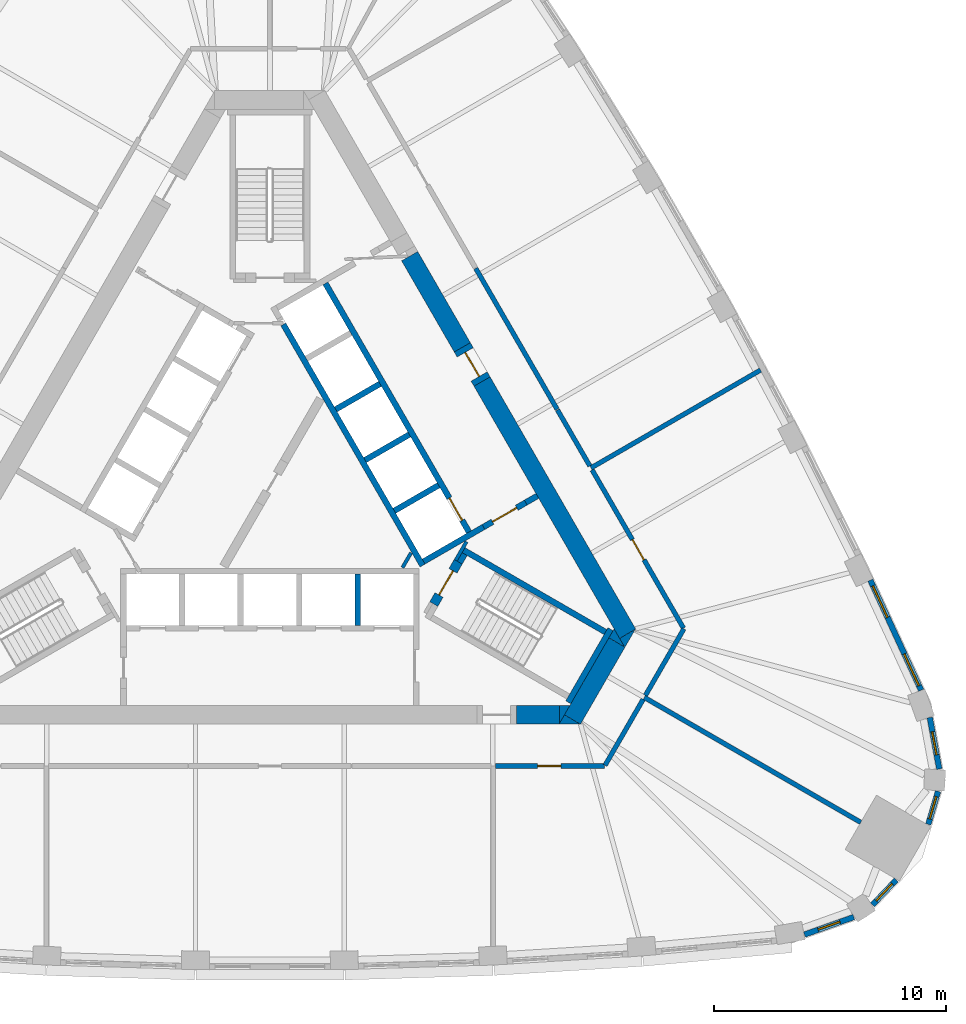
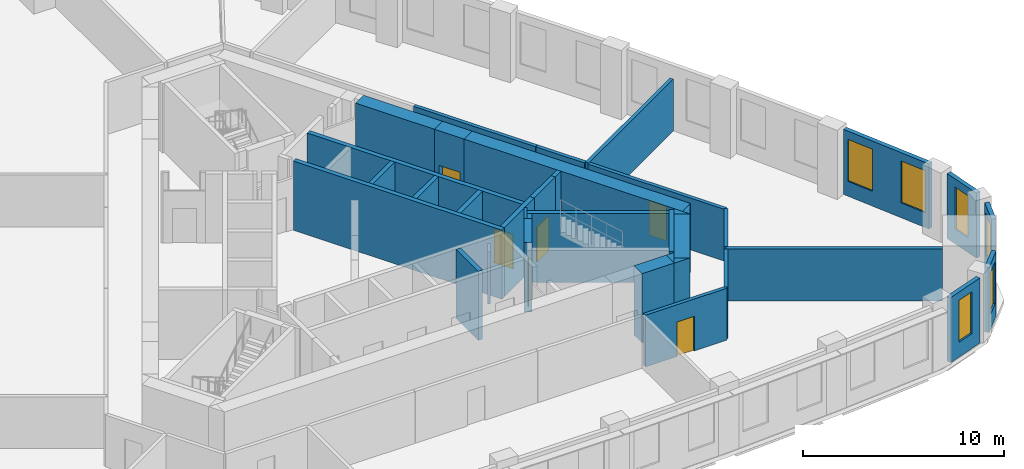
# One storey, part 6 of 9: 37 walls, 6 doors, 6 windows, 12 openings.
"""IFC4 building model written with IfcOpenShell, lengths in metres."""

from ifc_helpers import new_model, si_unit, direction, frame, frame_2d, origin, place, context, subcontext, project, spatial, polyline, rectangle, outline, extrude, material, layer, layer_set, type_object, element, fill, save


model = new_model("IFC4")

# Units and contexts
model_context = context("Model", 3, precision=1e-05, world=origin(), true_north=direction((0.0, 1.0)))
body_context = subcontext(model_context, "Body", "Model", "MODEL_VIEW")
ifc_project = project(units=[si_unit("LENGTHUNIT", "METRE"), si_unit("AREAUNIT", "SQUARE_METRE"), si_unit("VOLUMEUNIT", "CUBIC_METRE"), si_unit("PLANEANGLEUNIT", "RADIAN"), si_unit("MASSUNIT", "GRAM", prefix="KILO")], contexts=[model_context])

# Site, building, storey
site_placement = place(None, origin())
site = spatial("IfcSite", under=ifc_project, at=site_placement, CompositionType="ELEMENT")
building_placement = place(site_placement, origin())
building = spatial("IfcBuilding", under=site, at=building_placement, Name="Mestral Congress Tower", CompositionType="ELEMENT")
storey_placement = place(building_placement, frame((0.0, 0.0, 187.800048828125)))
storey = spatial("IfcBuildingStorey", under=building, at=storey_placement, Name="L44", CompositionType="ELEMENT", Elevation=187.800048828125)

# Walls
ifc_material_1 = material(Name="Fire-rated board partition")
ifc_layer_1 = layer(ifc_material_1, 0.14990234375)
ifc_layer_set_1 = layer_set([ifc_layer_1], Name="Fire-rated board partition")
wall_type_1 = type_object("IfcWallType", Name="Core partition 150", PredefinedType="PARTITIONING", material=ifc_layer_set_1)
wall_1_placement = place(storey_placement, frame((5.704833984375, -3.718017578125, 0.0), z_axis=(0.0, 0.0, 1.0), x_axis=(0.499962090823, 0.866047289552, 0.0)))
element("IfcWall", 1, at=wall_1_placement, inside=storey, type_object=wall_type_1, Name="L44 core wall", PredefinedType="PARTITIONING", context=body_context, shape_type="SweptSolid", body=[
    extrude(rectangle(XDim=0.73486328125, YDim=0.14990234375, at=frame_2d((0.367431640625, 0.0))), origin(), (0.0, 0.0, 1.0), 3.14990234375),
])
ifc_material_2 = material(Name="Concrete C60/75", Category="concrete")
ifc_layer_2 = layer(ifc_material_2, 0.800048828125)
ifc_layer_set_2 = layer_set([ifc_layer_2], Name="Concrete C60/75")
wall_type_2 = type_object("IfcWallType", Name="Core wall RC 800", PredefinedType="SOLIDWALL", material=ifc_layer_set_2)
wall_2_placement = place(storey_placement, frame((9.128662109375, 4.288818359375, 0.0), z_axis=(0.0, 0.0, 1.0), x_axis=(0.499995742806, -0.866027861663, 0.0)))
element("IfcWall", 2, at=wall_2_placement, inside=storey, type_object=wall_type_2, Name="L44 core wall", PredefinedType="SOLIDWALL", context=body_context, shape_type="SweptSolid", body=[
    extrude(rectangle(XDim=12.52734375, YDim=0.800048828125, at=frame_2d((6.263671875, 0.0))), origin(), (0.0, 0.0, 1.0), 4.199951171875),
])
placement = place(storey_placement, origin())
element("IfcWall", 3, at=placement, inside=storey, type_object=wall_type_2, Name="L44 core wall", PredefinedType="SOLIDWALL", context=body_context, shape_type="SweptSolid", body=[
    extrude(outline(polyline([(15.27099609375, -7.14990234375), (15.046875, -6.761962890625), (15.718994140625, -6.3740234375), (15.27099609375, -7.14990234375)])), origin(), (0.0, 0.0, 1.0), 4.199951171875),
])
wall_4_placement = place(storey_placement, frame((13.018310546875, -10.251708984375, 0.0), z_axis=(0.0, 0.0, 1.0), x_axis=(0.499984020225, 0.866034629516, 0.0)))
element("IfcWall", 4, at=wall_4_placement, inside=storey, type_object=wall_type_2, Name="L44 core wall", PredefinedType="SOLIDWALL", context=body_context, shape_type="SweptSolid", body=[
    extrude(rectangle(XDim=3.824462890625, YDim=0.800048828125, at=frame_2d((1.912109375, 0.0))), origin(), (0.0, 0.0, 1.0), 4.199951171875),
])
element("IfcWall", 5, at=placement, inside=storey, type_object=wall_type_2, Name="L44 core wall", PredefinedType="SOLIDWALL", context=body_context, shape_type="SweptSolid", body=[
    extrude(outline(polyline([(12.6708984375, -10.053466796875), (13.35791015625, -10.449951171875), (12.44189453125, -10.449951171875), (12.6708984375, -10.053466796875)])), origin(), (0.0, 0.0, 1.0), 4.199951171875),
])
element("IfcWall", 6, at=placement, inside=storey, type_object=wall_type_2, Name="L44 core wall", PredefinedType="SOLIDWALL", context=body_context, shape_type="SweptSolid", body=[
    extrude(outline(polyline([(14.80908203125, -6.35009765625), (15.257080078125, -7.1259765625), (14.5849609375, -6.738037109375), (14.80908203125, -6.35009765625)])), origin(), (0.0, 0.0, 1.0), 4.199951171875),
])
wall_7_placement = place(storey_placement, frame((10.6044921875, -10.050048828125, 0.0), z_axis=(0.0, 0.0, 1.0), x_axis=(1.0, 0.0, 0.0)))
element("IfcWall", 7, at=wall_7_placement, inside=storey, type_object=wall_type_2, Name="L44 core wall", PredefinedType="SOLIDWALL", context=body_context, shape_type="SweptSolid", body=[
    extrude(rectangle(XDim=1.849365234375, YDim=0.800048828125, at=frame_2d((0.9248046875, 0.0))), origin(), (0.0, 0.0, 1.0), 4.199951171875),
])
element("IfcWall", 8, at=placement, inside=storey, type_object=wall_type_2, Name="L44 core wall", PredefinedType="SOLIDWALL", context=body_context, shape_type="SweptSolid", body=[
    extrude(outline(polyline([(12.90380859375, -9.64990234375), (12.455810546875, -10.42578125), (12.455810546875, -9.64990234375), (12.90380859375, -9.64990234375)])), origin(), (0.0, 0.0, 1.0), 4.199951171875),
])
wall_9_placement = place(storey_placement, frame((8.278564453125, 5.76123046875, 0.0), z_axis=(0.0, 0.0, 1.0), x_axis=(-0.500024261398, 0.866011396007, 0.0)))
element("IfcWall", 9, at=wall_9_placement, inside=storey, type_object=wall_type_2, Name="L44 core wall", PredefinedType="SOLIDWALL", context=body_context, shape_type="SweptSolid", body=[
    extrude(rectangle(XDim=4.528076171875, YDim=0.800048828125, at=frame_2d((2.26416015625, 0.0))), origin(), (0.0, 0.0, 1.0), 4.199951171875),
])

# Wall, opening, door
wall_10_placement = place(storey_placement, frame((8.278564453125, 5.760986328125, 0.0), z_axis=(0.0, 0.0, 1.0), x_axis=(0.500062241894, -0.865989465428, 0.0)))
wall_10 = element("IfcWall", 10, at=wall_10_placement, inside=storey, type_object=wall_type_2, Name="L44 door wall", PredefinedType="SOLIDWALL", context=body_context, shape_type="SweptSolid", body=[
    extrude(rectangle(XDim=1.699951171875, YDim=0.800048828125, at=frame_2d((0.85009765625, 0.0))), origin(), (0.0, 0.0, 1.0), 4.199951171875),
])
opening_1_placement = place(wall_10_placement, frame((0.25, 0.0, 0.0)))
opening_1 = element("IfcOpeningElement", 11, at=opening_1_placement, cuts=wall_10, Name="Opening XDL", PredefinedType="OPENING", context=body_context, shape_type="SweptSolid", body=[
    extrude(rectangle(XDim=1.199951171875, YDim=2.10009765625, at=frame_2d((0.60009765625, 1.050048828125))), frame((0.0, 0.409912109375, 0.0), z_axis=(0.0, -1.0, 0.0), x_axis=(1.0, 0.0, 0.0)), (0.0, 0.0, 1.0), 0.820068359375),
])
ifc_material_3 = material(Name="Fire-rated steel door set", Category="steel")
door_type_1 = type_object("IfcDoorType", Name="Core door XD 1200x2100", OperationType="SINGLE_SWING_LEFT", PredefinedType="DOOR", material=ifc_material_3)
door_1_placement = place(opening_1_placement, origin())
door_1 = element("IfcDoor", 12, at=door_1_placement, inside=storey, type_object=door_type_1, Name="Door XDL", OperationType="SINGLE_SWING_LEFT", OverallHeight=2.10009765625, OverallWidth=1.199951171875, PredefinedType="DOOR", context=body_context, shape_type="SweptSolid", body=[
    extrude(rectangle(XDim=1.199951171875, YDim=2.10009765625, at=frame_2d((0.60009765625, 1.050048828125))), frame((0.0, 0.02490234375, 0.0), z_axis=(0.0, -1.0, 0.0), x_axis=(1.0, 0.0, 0.0)), (0.0, 0.0, 1.0), 0.050048828125),
])
fill(opening_1, door_1)

# Wall, opening, window
ifc_material_4 = material(Name="Precast concrete C40/50 with limestone facing", Category="masonry")
ifc_layer_3 = layer(ifc_material_4, 0.239990234375)
ifc_layer_set_3 = layer_set([ifc_layer_3], Name="Precast concrete C40/50 with limestone facing")
wall_type_3 = type_object("IfcWallType", Name="Facade stone wall 240", PredefinedType="SOLIDWALL", material=ifc_layer_set_3)
wall_11_placement = place(storey_placement, frame((23.0009765625, -19.50537109375, 0.0), z_axis=(0.0, 0.0, 1.0), x_axis=(0.942099727267, 0.335332825539, 0.0)))
wall_11 = element("IfcWall", 13, at=wall_11_placement, inside=storey, type_object=wall_type_3, Name="Facade wall K0-0", PredefinedType="SOLIDWALL", context=body_context, shape_type="SweptSolid", body=[
    extrude(rectangle(XDim=2.25048828125, YDim=0.239990234375, at=frame_2d((1.125244140625, 0.0))), origin(), (0.0, 0.0, 1.0), 3.949951171875),
])
opening_2_placement = place(wall_11_placement, frame((0.625244140625, 0.0, 0.89990234375)))
opening_2 = element("IfcOpeningElement", 14, at=opening_2_placement, cuts=wall_11, Name="Opening W5", PredefinedType="OPENING", context=body_context, shape_type="SweptSolid", body=[
    extrude(rectangle(XDim=1.0, YDim=2.550048828125, at=frame_2d((0.5, 1.27490234375))), frame((0.0, 0.1298828125, 0.0), z_axis=(0.0, -1.0, 0.0), x_axis=(1.0, 0.0, 0.0)), (0.0, 0.0, 1.0), 0.260009765625),
])
ifc_material_5 = material(Name="Clear low-emissivity double glazing", Category="glass")
window_type_1 = type_object("IfcWindowType", Name="Facade punched window 1000 x 2550 sill 900", PartitioningType="SINGLE_PANEL", PredefinedType="WINDOW", material=ifc_material_5)
window_1_placement = place(opening_2_placement, origin())
window_1 = element("IfcWindow", 15, at=window_1_placement, inside=storey, type_object=window_type_1, Name="Window K0-0", OverallHeight=2.550048828125, OverallWidth=1.0, PartitioningType="SINGLE_PANEL", PredefinedType="WINDOW", context=body_context, shape_type="SweptSolid", body=[
    extrude(rectangle(XDim=1.0, YDim=2.550048828125, at=frame_2d((0.5, 1.27490234375))), frame((0.0, 0.0400390625, 0.0), z_axis=(0.0, -1.0, 0.0), x_axis=(1.0, 0.0, 0.0)), (0.0, 0.0, 1.0), 0.06005859375),
])
fill(opening_2, window_1)

wall_12_placement = place(storey_placement, frame((25.9267578125, -18.226318359375, 0.0), z_axis=(0.0, 0.0, 1.0), x_axis=(0.687986858937, 0.725723144133, 0.0)))
wall_12 = element("IfcWall", 16, at=wall_12_placement, inside=storey, type_object=wall_type_3, Name="Facade wall K0-1", PredefinedType="SOLIDWALL", context=body_context, shape_type="SweptSolid", body=[
    extrude(rectangle(XDim=1.4814453125, YDim=0.239990234375, at=frame_2d((0.74072265625, 0.0))), origin(), (0.0, 0.0, 1.0), 3.949951171875),
])
opening_3_placement = place(wall_12_placement, frame((0.24072265625, 0.0, 0.89990234375)))
opening_3 = element("IfcOpeningElement", 17, at=opening_3_placement, cuts=wall_12, Name="Opening W5", PredefinedType="OPENING", context=body_context, shape_type="SweptSolid", body=[
    extrude(rectangle(XDim=1.0, YDim=2.550048828125, at=frame_2d((0.5, 1.27490234375))), frame((0.0, 0.1298828125, 0.0), z_axis=(0.0, -1.0, 0.0), x_axis=(1.0, 0.0, 0.0)), (0.0, 0.0, 1.0), 0.260009765625),
])
window_2_placement = place(opening_3_placement, origin())
window_2 = element("IfcWindow", 18, at=window_2_placement, inside=storey, type_object=window_type_1, Name="Window K0-1", OverallHeight=2.550048828125, OverallWidth=1.0, PartitioningType="SINGLE_PANEL", PredefinedType="WINDOW", context=body_context, shape_type="SweptSolid", body=[
    extrude(rectangle(XDim=1.0, YDim=2.550048828125, at=frame_2d((0.5, 1.27490234375))), frame((0.0, 0.0400390625, 0.0), z_axis=(0.0, -1.0, 0.0), x_axis=(1.0, 0.0, 0.0)), (0.0, 0.0, 1.0), 0.06005859375),
])
fill(opening_3, window_2)

wall_13_placement = place(storey_placement, frame((28.326416015625, -14.760498046875, 0.0), z_axis=(0.0, 0.0, 1.0), x_axis=(0.284413721403, 0.958701640281, 0.0)))
wall_13 = element("IfcWall", 19, at=wall_13_placement, inside=storey, type_object=wall_type_3, Name="Facade wall K0-2", PredefinedType="SOLIDWALL", context=body_context, shape_type="SweptSolid", body=[
    extrude(rectangle(XDim=1.481689453125, YDim=0.239990234375, at=frame_2d((0.74072265625, 0.0))), origin(), (0.0, 0.0, 1.0), 3.949951171875),
])
opening_4_placement = place(wall_13_placement, frame((0.24072265625, 0.0, 0.89990234375)))
opening_4 = element("IfcOpeningElement", 20, at=opening_4_placement, cuts=wall_13, Name="Opening W5", PredefinedType="OPENING", context=body_context, shape_type="SweptSolid", body=[
    extrude(rectangle(XDim=1.0, YDim=2.550048828125, at=frame_2d((0.5, 1.27490234375))), frame((0.0, 0.1298828125, 0.0), z_axis=(0.0, -1.0, 0.0), x_axis=(1.0, 0.0, 0.0)), (0.0, 0.0, 1.0), 0.260009765625),
])
window_3_placement = place(opening_4_placement, origin())
window_3 = element("IfcWindow", 21, at=window_3_placement, inside=storey, type_object=window_type_1, Name="Window K0-2", OverallHeight=2.550048828125, OverallWidth=1.0, PartitioningType="SINGLE_PANEL", PredefinedType="WINDOW", context=body_context, shape_type="SweptSolid", body=[
    extrude(rectangle(XDim=1.0, YDim=2.550048828125, at=frame_2d((0.5, 1.27490234375))), frame((0.0, 0.0400390625, 0.0), z_axis=(0.0, -1.0, 0.0), x_axis=(1.0, 0.0, 0.0)), (0.0, 0.0, 1.0), 0.06005859375),
])
fill(opening_4, window_3)

wall_14_placement = place(storey_placement, frame((28.79931640625, -12.380126953125, 0.0), z_axis=(0.0, 0.0, 1.0), x_axis=(-0.180737189259, 0.983531427265, 0.0)))
wall_14 = element("IfcWall", 22, at=wall_14_placement, inside=storey, type_object=wall_type_3, Name="Facade wall K0-3", PredefinedType="SOLIDWALL", context=body_context, shape_type="SweptSolid", body=[
    extrude(rectangle(XDim=2.25048828125, YDim=0.239990234375, at=frame_2d((1.125244140625, 0.0))), origin(), (0.0, 0.0, 1.0), 3.949951171875),
])
opening_5_placement = place(wall_14_placement, frame((0.625244140625, 0.0, 0.89990234375)))
opening_5 = element("IfcOpeningElement", 23, at=opening_5_placement, cuts=wall_14, Name="Opening W5", PredefinedType="OPENING", context=body_context, shape_type="SweptSolid", body=[
    extrude(rectangle(XDim=1.0, YDim=2.550048828125, at=frame_2d((0.5, 1.27490234375))), frame((0.0, 0.1298828125, 0.0), z_axis=(0.0, -1.0, 0.0), x_axis=(1.0, 0.0, 0.0)), (0.0, 0.0, 1.0), 0.260009765625),
])
window_4_placement = place(opening_5_placement, origin())
window_4 = element("IfcWindow", 24, at=window_4_placement, inside=storey, type_object=window_type_1, Name="Window K0-3", OverallHeight=2.550048828125, OverallWidth=1.0, PartitioningType="SINGLE_PANEL", PredefinedType="WINDOW", context=body_context, shape_type="SweptSolid", body=[
    extrude(rectangle(XDim=1.0, YDim=2.550048828125, at=frame_2d((0.5, 1.27490234375))), frame((0.0, 0.0400390625, 0.0), z_axis=(0.0, -1.0, 0.0), x_axis=(1.0, 0.0, 0.0)), (0.0, 0.0, 1.0), 0.06005859375),
])
fill(opening_5, window_4)

# Wall, openings, windows
wall_15_placement = place(storey_placement, frame((28.019775390625, -8.991943359375, 0.0), z_axis=(0.0, 0.0, 1.0), x_axis=(-0.418722559465, 0.908114209885, 0.0)))
wall_15 = element("IfcWall", 25, at=wall_15_placement, inside=storey, type_object=wall_type_3, Name="Facade wall F1-00", PredefinedType="SOLIDWALL", context=body_context, shape_type="SweptSolid", body=[
    extrude(rectangle(XDim=5.213134765625, YDim=0.239990234375, at=frame_2d((2.6064453125, 0.0))), origin(), (0.0, 0.0, 1.0), 3.949951171875),
])
opening_6_placement = place(wall_15_placement, frame((0.220947265625, 0.0, 0.89990234375)))
opening_6 = element("IfcOpeningElement", 26, at=opening_6_placement, cuts=wall_15, Name="Opening W4", PredefinedType="OPENING", context=body_context, shape_type="SweptSolid", body=[
    extrude(rectangle(XDim=1.5, YDim=2.550048828125, at=frame_2d((0.75, 1.27490234375))), frame((0.0, 0.1298828125, 0.0), z_axis=(0.0, -1.0, 0.0), x_axis=(1.0, 0.0, 0.0)), (0.0, 0.0, 1.0), 0.260009765625),
])
opening_7_placement = place(wall_15_placement, frame((3.452392578125, 0.0, 0.89990234375)))
opening_7 = element("IfcOpeningElement", 27, at=opening_7_placement, cuts=wall_15, Name="Opening W4", PredefinedType="OPENING", context=body_context, shape_type="SweptSolid", body=[
    extrude(rectangle(XDim=1.5, YDim=2.550048828125, at=frame_2d((0.75, 1.27490234375))), frame((0.0, 0.1298828125, 0.0), z_axis=(0.0, -1.0, 0.0), x_axis=(1.0, 0.0, 0.0)), (0.0, 0.0, 1.0), 0.260009765625),
])
window_type_2 = type_object("IfcWindowType", Name="Facade punched window 1500 x 2550 sill 900", PartitioningType="SINGLE_PANEL", PredefinedType="WINDOW", material=ifc_material_5)
window_5_placement = place(opening_6_placement, origin())
window_5 = element("IfcWindow", 28, at=window_5_placement, inside=storey, type_object=window_type_2, Name="Window F1-00a", OverallHeight=2.550048828125, OverallWidth=1.5, PartitioningType="SINGLE_PANEL", PredefinedType="WINDOW", context=body_context, shape_type="SweptSolid", body=[
    extrude(rectangle(XDim=1.5, YDim=2.550048828125, at=frame_2d((0.75, 1.27490234375))), frame((0.0, 0.0400390625, 0.0), z_axis=(0.0, -1.0, 0.0), x_axis=(1.0, 0.0, 0.0)), (0.0, 0.0, 1.0), 0.06005859375),
])
fill(opening_6, window_5)
window_6_placement = place(opening_7_placement, origin())
window_6 = element("IfcWindow", 29, at=window_6_placement, inside=storey, type_object=window_type_2, Name="Window F1-00b", OverallHeight=2.550048828125, OverallWidth=1.5, PartitioningType="SINGLE_PANEL", PredefinedType="WINDOW", context=body_context, shape_type="SweptSolid", body=[
    extrude(rectangle(XDim=1.5, YDim=2.550048828125, at=frame_2d((0.75, 1.27490234375))), frame((0.0, 0.0400390625, 0.0), z_axis=(0.0, -1.0, 0.0), x_axis=(1.0, 0.0, 0.0)), (0.0, 0.0, 1.0), 0.06005859375),
])
fill(opening_7, window_6)

# Wall
ifc_material_6 = material(Name="Dense masonry wall, plastered", Category="masonry")
ifc_layer_4 = layer(ifc_material_6, 0.199951171875)
ifc_layer_set_4 = layer_set([ifc_layer_4], Name="Dense masonry wall, plastered")
wall_type_4 = type_object("IfcWallType", Name="Office tenancy wall 200", PredefinedType="PARTITIONING", material=ifc_layer_set_4)
wall_16_placement = place(storey_placement, frame((16.108154296875, -9.300048828125, 0.0), z_axis=(0.0, 0.0, 1.0), x_axis=(0.866027180319, -0.499996922939, 0.0)))
element("IfcWall", 30, at=wall_16_placement, inside=storey, type_object=wall_type_4, Name="Tenancy wall", PredefinedType="PARTITIONING", context=body_context, shape_type="SweptSolid", body=[
    extrude(rectangle(XDim=10.75390625, YDim=0.199951171875, at=frame_2d((5.376953125, 0.0))), origin(), (0.0, 0.0, 1.0), 3.14990234375),
])

# Wall, opening, door
wall_17_placement = place(storey_placement, frame((9.71728515625, -12.25, 0.0), z_axis=(0.0, 0.0, 1.0), x_axis=(1.0, 0.0, 0.0)))
wall_17 = element("IfcWall", 31, at=wall_17_placement, inside=storey, type_object=wall_type_4, Name="Tenancy wall", PredefinedType="PARTITIONING", context=body_context, shape_type="SweptSolid", body=[
    extrude(rectangle(XDim=4.6875, YDim=0.199951171875, at=frame_2d((2.34375, 0.0))), origin(), (0.0, 0.0, 1.0), 3.14990234375),
])
opening_8_placement = place(wall_17_placement, frame((1.800048828125, 0.0, 0.0)))
opening_8 = element("IfcOpeningElement", 32, at=opening_8_placement, cuts=wall_17, Name="Opening O04-002", PredefinedType="OPENING", context=body_context, shape_type="SweptSolid", body=[
    extrude(rectangle(XDim=1.0, YDim=2.10009765625, at=frame_2d((0.5, 1.050048828125))), frame((0.0, 0.10986328125, 0.0), z_axis=(0.0, -1.0, 0.0), x_axis=(1.0, 0.0, 0.0)), (0.0, 0.0, 1.0), 0.219970703125),
])
ifc_material_7 = material(Name="Fire-rated timber door set", Category="wood")
door_type_2 = type_object("IfcDoorType", Name="Office tenancy entrance door 1000x2100", OperationType="SINGLE_SWING_LEFT", PredefinedType="DOOR", material=ifc_material_7)
door_2_placement = place(opening_8_placement, origin())
door_2 = element("IfcDoor", 33, at=door_2_placement, inside=storey, type_object=door_type_2, Name="Door O04-002", OperationType="SINGLE_SWING_LEFT", OverallHeight=2.10009765625, OverallWidth=1.0, PredefinedType="DOOR", context=body_context, shape_type="SweptSolid", body=[
    extrude(rectangle(XDim=1.0, YDim=2.10009765625, at=frame_2d((0.5, 1.050048828125))), frame((0.0, 0.02490234375, 0.0), z_axis=(0.0, -1.0, 0.0), x_axis=(1.0, 0.0, 0.0)), (0.0, 0.0, 1.0), 0.050048828125),
])
fill(opening_8, door_2)

# Walls
wall_18_placement = place(storey_placement, frame((14.419921875, -12.22412109375, 0.0), z_axis=(0.0, 0.0, 1.0), x_axis=(0.500001965626, 0.866024268927, 0.0)))
element("IfcWall", 34, at=wall_18_placement, inside=storey, type_object=wall_type_4, Name="Tenancy wall", PredefinedType="PARTITIONING", context=body_context, shape_type="SweptSolid", body=[
    extrude(rectangle(XDim=3.2763671875, YDim=0.199951171875, at=frame_2d((1.63818359375, 0.0))), origin(), (0.0, 0.0, 1.0), 3.14990234375),
])
wall_19_placement = place(storey_placement, frame((13.814697265625, 0.572021484375, 0.0), z_axis=(0.0, 0.0, 1.0), x_axis=(0.866036391575, 0.499980968105, 0.0)))
element("IfcWall", 35, at=wall_19_placement, inside=storey, type_object=wall_type_4, Name="Tenancy wall", PredefinedType="PARTITIONING", context=body_context, shape_type="SweptSolid", body=[
    extrude(rectangle(XDim=8.420166015625, YDim=0.199951171875, at=frame_2d((4.2099609375, 0.0))), origin(), (0.0, 0.0, 1.0), 3.14990234375),
])
wall_20_placement = place(storey_placement, frame((16.158203125, -9.21337890625, 0.0), z_axis=(0.0, 0.0, 1.0), x_axis=(0.499990919662, 0.866030646256, 0.0)))
element("IfcWall", 36, at=wall_20_placement, inside=storey, type_object=wall_type_4, Name="Tenancy wall", PredefinedType="PARTITIONING", context=body_context, shape_type="SweptSolid", body=[
    extrude(rectangle(XDim=3.30615234375, YDim=0.199951171875, at=frame_2d((1.653076171875, 0.0))), origin(), (0.0, 0.0, 1.0), 3.14990234375),
])

# Wall, opening, door
wall_21_placement = place(storey_placement, frame((17.79638671875, -6.323974609375, 0.0), z_axis=(0.0, 0.0, 1.0), x_axis=(-0.500026166427, 0.866010296064, 0.0)))
wall_21 = element("IfcWall", 37, at=wall_21_placement, inside=storey, type_object=wall_type_4, Name="Tenancy wall", PredefinedType="PARTITIONING", context=body_context, shape_type="SweptSolid", body=[
    extrude(rectangle(XDim=7.86279296875, YDim=0.199951171875, at=frame_2d((3.931396484375, 0.0))), origin(), (0.0, 0.0, 1.0), 3.14990234375),
])
opening_9_placement = place(wall_21_placement, frame((3.39990234375, 0.0, 0.0)))
opening_9 = element("IfcOpeningElement", 38, at=opening_9_placement, cuts=wall_21, Name="Opening O04-003", PredefinedType="OPENING", context=body_context, shape_type="SweptSolid", body=[
    extrude(rectangle(XDim=1.0, YDim=2.10009765625, at=frame_2d((0.5, 1.050048828125))), frame((0.0, 0.10986328125, 0.0), z_axis=(0.0, -1.0, 0.0), x_axis=(1.0, 0.0, 0.0)), (0.0, 0.0, 1.0), 0.219970703125),
])
door_3_placement = place(opening_9_placement, origin())
door_3 = element("IfcDoor", 39, at=door_3_placement, inside=storey, type_object=door_type_2, Name="Door O04-003", OperationType="SINGLE_SWING_LEFT", OverallHeight=2.10009765625, OverallWidth=1.0, PredefinedType="DOOR", context=body_context, shape_type="SweptSolid", body=[
    extrude(rectangle(XDim=1.0, YDim=2.10009765625, at=frame_2d((0.5, 1.050048828125))), frame((0.0, 0.02490234375, 0.0), z_axis=(0.0, -1.0, 0.0), x_axis=(1.0, 0.0, 0.0)), (0.0, 0.0, 1.0), 0.050048828125),
])
fill(opening_9, door_3)

# Walls
wall_22_placement = place(storey_placement, frame((12.35888671875, 3.093994140625, 0.0), z_axis=(0.0, 0.0, 1.0), x_axis=(-0.500010275428, 0.866019471182, 0.0)))
element("IfcWall", 40, at=wall_22_placement, inside=storey, type_object=wall_type_4, Name="Tenancy wall", PredefinedType="PARTITIONING", context=body_context, shape_type="SweptSolid", body=[
    extrude(rectangle(XDim=6.999755859375, YDim=0.199951171875, at=frame_2d((3.5, 0.0))), origin(), (0.0, 0.0, 1.0), 3.14990234375),
])
wall_23_placement = place(storey_placement, frame((13.764892578125, 0.65869140625, 0.0), z_axis=(0.0, 0.0, 1.0), x_axis=(-0.500046568876, 0.865998515562, 0.0)))
element("IfcWall", 41, at=wall_23_placement, inside=storey, type_object=wall_type_4, Name="Tenancy wall", PredefinedType="PARTITIONING", context=body_context, shape_type="SweptSolid", body=[
    extrude(rectangle(XDim=2.781982421875, YDim=0.199951171875, at=frame_2d((1.39111328125, 0.0))), origin(), (0.0, 0.0, 1.0), 3.14990234375),
])
ifc_layer_5 = layer(ifc_material_2, 0.25)
ifc_layer_set_5 = layer_set([ifc_layer_5], Name="Concrete C60/75")
wall_type_5 = type_object("IfcWallType", Name="Shaft wall RC 250", PredefinedType="SOLIDWALL", material=ifc_layer_set_5)
wall_24_placement = place(storey_placement, frame((3.780029296875, -4.0, 0.0), z_axis=(0.0, 0.0, 1.0), x_axis=(0.0, -1.0, 0.0)))
element("IfcWall", 42, at=wall_24_placement, inside=storey, type_object=wall_type_5, Name="L44 core wall", PredefinedType="SOLIDWALL", context=body_context, shape_type="SweptSolid", body=[
    extrude(rectangle(XDim=2.199951171875, YDim=0.25, at=frame_2d((1.10009765625, 0.0))), origin(), (0.0, 0.0, 1.0), 4.199951171875),
])
wall_25_placement = place(storey_placement, frame((11.507080078125, -0.631103515625, 0.0), z_axis=(0.0, 0.0, 1.0), x_axis=(-0.866093731455, -0.499881634324, 0.0)))
element("IfcWall", 43, at=wall_25_placement, inside=storey, type_object=wall_type_5, Name="L44 core wall", PredefinedType="SOLIDWALL", context=body_context, shape_type="SweptSolid", body=[
    extrude(rectangle(XDim=0.575439453125, YDim=0.25, at=frame_2d((0.28759765625, 0.0))), origin(), (0.0, 0.0, 1.0), 4.199951171875),
])
wall_26_placement = place(storey_placement, frame((6.568359375, -3.626708984375, 0.0), z_axis=(0.0, 0.0, 1.0), x_axis=(-0.499999455981, 0.866025717874, 0.0)))
element("IfcWall", 44, at=wall_26_placement, inside=storey, type_object=wall_type_5, Name="L44 core wall", PredefinedType="SOLIDWALL", context=body_context, shape_type="SweptSolid", body=[
    extrude(rectangle(XDim=11.97802734375, YDim=0.25, at=frame_2d((5.989013671875, 0.0))), origin(), (0.0, 0.0, 1.0), 4.199951171875),
])
for number, where, z_axis, x_axis, name in (
    (45, (2.833984375, 3.091064453125, 0.0), (0.0, 0.0, 1.0), (0.866008176907, 0.50002983664, 0.0), "L44 core wall"),
    (46, (4.093994140625, 0.90869140625, 0.0), (0.0, 0.0, 1.0), (0.866008176907, 0.50002983664, 0.0), "L44 core wall"),
    (47, (5.35400390625, -1.273681640625, 0.0), (0.0, 0.0, 1.0), (0.866008176907, 0.50002983664, 0.0), "L44 core wall"),
):
    element("IfcWall", number, at=place(storey_placement, frame(where, z_axis=z_axis, x_axis=x_axis)), inside=storey, type_object=wall_type_5, Name=name, PredefinedType="SOLIDWALL", context=body_context, shape_type="SweptSolid", body=[
        extrude(rectangle(XDim=2.199951171875, YDim=0.25, at=frame_2d((1.10009765625, 0.0))), origin(), (0.0, 0.0, 1.0), 4.199951171875),
    ])
wall_27_placement = place(storey_placement, frame((6.614013671875, -3.4560546875, 0.0), z_axis=(0.0, 0.0, 1.0), x_axis=(0.866032512851, 0.499987686533, 0.0)))
element("IfcWall", 48, at=wall_27_placement, inside=storey, type_object=wall_type_5, Name="L44 core wall", PredefinedType="SOLIDWALL", context=body_context, shape_type="SweptSolid", body=[
    extrude(rectangle(XDim=2.974609375, YDim=0.25, at=frame_2d((1.4873046875, 0.0))), origin(), (0.0, 0.0, 1.0), 4.199951171875),
])

# Wall, opening, door
wall_28_placement = place(storey_placement, frame((8.565185546875, -2.185302734375, 0.0), z_axis=(0.0, 0.0, 1.0), x_axis=(-0.499997954832, 0.866026584559, 0.0)))
wall_28 = element("IfcWall", 49, at=wall_28_placement, inside=storey, type_object=wall_type_5, Name="L44 door wall", PredefinedType="SOLIDWALL", context=body_context, shape_type="SweptSolid", body=[
    extrude(rectangle(XDim=12.35009765625, YDim=0.25, at=frame_2d((6.175048828125, 0.0))), origin(), (0.0, 0.0, 1.0), 4.199951171875),
])
opening_10_placement = place(wall_28_placement, frame((0.5849609375, 0.0, 0.0)))
opening_10 = element("IfcOpeningElement", 50, at=opening_10_placement, cuts=wall_28, Name="Opening LD-NEB1", PredefinedType="OPENING", context=body_context, shape_type="SweptSolid", body=[
    extrude(rectangle(XDim=1.10009765625, YDim=2.10009765625, at=frame_2d((0.550048828125, 1.050048828125))), frame((0.0, 0.135009765625, 0.0), z_axis=(0.0, -1.0, 0.0), x_axis=(1.0, 0.0, 0.0)), (0.0, 0.0, 1.0), 0.27001953125),
])
door_type_3 = type_object("IfcDoorType", Name="Core door LD 1100x2100", OperationType="DOUBLE_DOOR_SLIDING", PredefinedType="DOOR", material=ifc_material_3)
door_4_placement = place(opening_10_placement, origin())
door_4 = element("IfcDoor", 51, at=door_4_placement, inside=storey, type_object=door_type_3, Name="Door LD-NEB1", OperationType="DOUBLE_DOOR_SLIDING", OverallHeight=2.10009765625, OverallWidth=1.10009765625, PredefinedType="DOOR", context=body_context, shape_type="SweptSolid", body=[
    extrude(rectangle(XDim=1.10009765625, YDim=2.10009765625, at=frame_2d((0.550048828125, 1.050048828125))), frame((0.0, 0.02490234375, 0.0), z_axis=(0.0, -1.0, 0.0), x_axis=(1.0, 0.0, 0.0)), (0.0, 0.0, 1.0), 0.050048828125),
])
fill(opening_10, door_4)

wall_29_placement = place(storey_placement, frame((11.0087890625, -0.918701171875, 0.0), z_axis=(0.0, 0.0, 1.0), x_axis=(-0.866059744384, -0.49994051562, 0.0)))
wall_29 = element("IfcWall", 52, at=wall_29_placement, inside=storey, type_object=wall_type_5, Name="L44 door wall", PredefinedType="SOLIDWALL", context=body_context, shape_type="SweptSolid", body=[
    extrude(rectangle(XDim=2.099853515625, YDim=0.25, at=frame_2d((1.0498046875, 0.0))), origin(), (0.0, 0.0, 1.0), 4.199951171875),
])
opening_11_placement = place(wall_29_placement, frame((0.449951171875, 0.0, 0.0)))
opening_11 = element("IfcOpeningElement", 53, at=opening_11_placement, cuts=wall_29, Name="Opening LB1-PX10", PredefinedType="OPENING", context=body_context, shape_type="SweptSolid", body=[
    extrude(rectangle(XDim=1.199951171875, YDim=2.10009765625, at=frame_2d((0.60009765625, 1.050048828125))), frame((0.0, 0.135009765625, 0.0), z_axis=(0.0, -1.0, 0.0), x_axis=(1.0, 0.0, 0.0)), (0.0, 0.0, 1.0), 0.27001953125),
])
door_type_4 = type_object("IfcDoorType", Name="Core door LB 1200x2100", OperationType="SINGLE_SWING_LEFT", PredefinedType="DOOR", material=ifc_material_3)
door_5_placement = place(opening_11_placement, origin())
door_5 = element("IfcDoor", 54, at=door_5_placement, inside=storey, type_object=door_type_4, Name="Door LB1-PX10", OperationType="SINGLE_SWING_LEFT", OverallHeight=2.10009765625, OverallWidth=1.199951171875, PredefinedType="DOOR", context=body_context, shape_type="SweptSolid", body=[
    extrude(rectangle(XDim=1.199951171875, YDim=2.10009765625, at=frame_2d((0.60009765625, 1.050048828125))), frame((0.0, 0.02490234375, 0.0), z_axis=(0.0, -1.0, 0.0), x_axis=(1.0, 0.0, 0.0)), (0.0, 0.0, 1.0), 0.050048828125),
])
fill(opening_11, door_5)

# Walls
ifc_layer_6 = layer(ifc_material_2, 0.14990234375)
ifc_layer_set_6 = layer_set([ifc_layer_6], Name="Concrete C60/75")
wall_type_6 = type_object("IfcWallType", Name="Shaft wall RC 250 door-wall 150", PredefinedType="SOLIDWALL", material=ifc_layer_set_6)
wall_30_placement = place(storey_placement, frame((8.459228515625, -2.59912109375, 0.0), z_axis=(0.0, 0.0, 1.0), x_axis=(-0.500041054325, -0.866001699761, 0.0)))
element("IfcWall", 55, at=wall_30_placement, inside=storey, type_object=wall_type_6, Name="L44 core wall", PredefinedType="PARTITIONING", context=body_context, shape_type="SweptSolid", body=[
    extrude(rectangle(XDim=0.9287109375, YDim=0.14990234375, at=frame_2d((0.46435546875, 0.0))), origin(), (0.0, 0.0, 1.0), 4.199951171875),
])
ifc_layer_7 = layer(ifc_material_2, 0.25)
ifc_layer_set_7 = layer_set([ifc_layer_7], Name="Concrete C60/75")
wall_type_7 = type_object("IfcWallType", Name="Stair wall RC 250", PredefinedType="SOLIDWALL", material=ifc_layer_set_7)
wall_31_placement = place(storey_placement, frame((12.839599609375, -9.510986328125, 0.0), z_axis=(0.0, 0.0, 1.0), x_axis=(0.499997733992, 0.866026712061, 0.0)))
element("IfcWall", 56, at=wall_31_placement, inside=storey, type_object=wall_type_7, Name="L44 core wall", PredefinedType="SOLIDWALL", context=body_context, shape_type="SweptSolid", body=[
    extrude(rectangle(XDim=3.6337890625, YDim=0.25, at=frame_2d((1.81689453125, 0.0))), origin(), (0.0, 0.0, 1.0), 4.199951171875),
])
wall_32_placement = place(storey_placement, frame((8.33447265625, -2.96435546875, 0.0), z_axis=(0.0, 0.0, 1.0), x_axis=(0.866016039709, -0.500016218704, 0.0)))
element("IfcWall", 57, at=wall_32_placement, inside=storey, type_object=wall_type_7, Name="L44 core wall", PredefinedType="SOLIDWALL", context=body_context, shape_type="SweptSolid", body=[
    extrude(rectangle(XDim=7.050048828125, YDim=0.25, at=frame_2d((3.52490234375, 0.0))), origin(), (0.0, 0.0, 1.0), 4.199951171875),
])
wall_33_placement = place(storey_placement, frame((8.167724609375, -3.503173828125, 0.0), z_axis=(0.0, 0.0, 1.0), x_axis=(0.49972245349, 0.866185586049, 0.0)))
element("IfcWall", 58, at=wall_33_placement, inside=storey, type_object=wall_type_7, Name="L44 core wall", PredefinedType="SOLIDWALL", context=body_context, shape_type="SweptSolid", body=[
    extrude(rectangle(XDim=0.425048828125, YDim=0.25, at=frame_2d((0.21240234375, 0.0))), origin(), (0.0, 0.0, 1.0), 4.199951171875),
])

# Wall, opening, door
ifc_layer_8 = layer(ifc_material_2, 0.39990234375)
ifc_layer_set_8 = layer_set([ifc_layer_8], Name="Concrete C60/75")
wall_type_8 = type_object("IfcWallType", Name="Stair wall RC 250 door-wall 400", PredefinedType="SOLIDWALL", material=ifc_layer_set_8)
wall_34_placement = place(storey_placement, frame((7.052734375, -5.2841796875, 0.0), z_axis=(0.0, 0.0, 1.0), x_axis=(0.500078061341, 0.865980330357, 0.0)))
wall_34 = element("IfcWall", 59, at=wall_34_placement, inside=storey, type_object=wall_type_8, Name="L44 door wall", PredefinedType="SOLIDWALL", context=body_context, shape_type="SweptSolid", body=[
    extrude(rectangle(XDim=2.099853515625, YDim=0.39990234375, at=frame_2d((1.0498046875, 0.0))), origin(), (0.0, 0.0, 1.0), 4.199951171875),
])
opening_12_placement = place(wall_34_placement, frame((0.449951171875, 0.0, 0.0)))
opening_12 = element("IfcOpeningElement", 60, at=opening_12_placement, cuts=wall_34, Name="Opening ST-D1", PredefinedType="OPENING", context=body_context, shape_type="SweptSolid", body=[
    extrude(rectangle(XDim=1.199951171875, YDim=2.10009765625, at=frame_2d((0.60009765625, 1.050048828125))), frame((0.0, 0.2099609375, 0.0), z_axis=(0.0, -1.0, 0.0), x_axis=(1.0, 0.0, 0.0)), (0.0, 0.0, 1.0), 0.419921875),
])
door_type_5 = type_object("IfcDoorType", Name="Core door ST 1200x2100", OperationType="SINGLE_SWING_LEFT", PredefinedType="DOOR", material=ifc_material_3)
door_6_placement = place(opening_12_placement, origin())
door_6 = element("IfcDoor", 61, at=door_6_placement, inside=storey, type_object=door_type_5, Name="Door ST-D1", OperationType="SINGLE_SWING_LEFT", OverallHeight=2.10009765625, OverallWidth=1.199951171875, PredefinedType="DOOR", context=body_context, shape_type="SweptSolid", body=[
    extrude(rectangle(XDim=1.199951171875, YDim=2.10009765625, at=frame_2d((0.60009765625, 1.050048828125))), frame((0.0, 0.02490234375, 0.0), z_axis=(0.0, -1.0, 0.0), x_axis=(1.0, 0.0, 0.0)), (0.0, 0.0, 1.0), 0.050048828125),
])
fill(opening_12, door_6)

save(model, "model.ifc")
